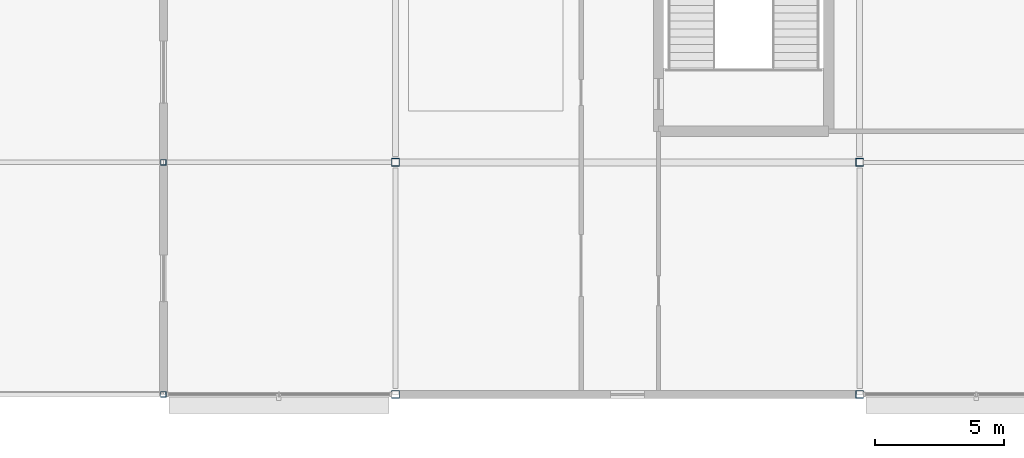
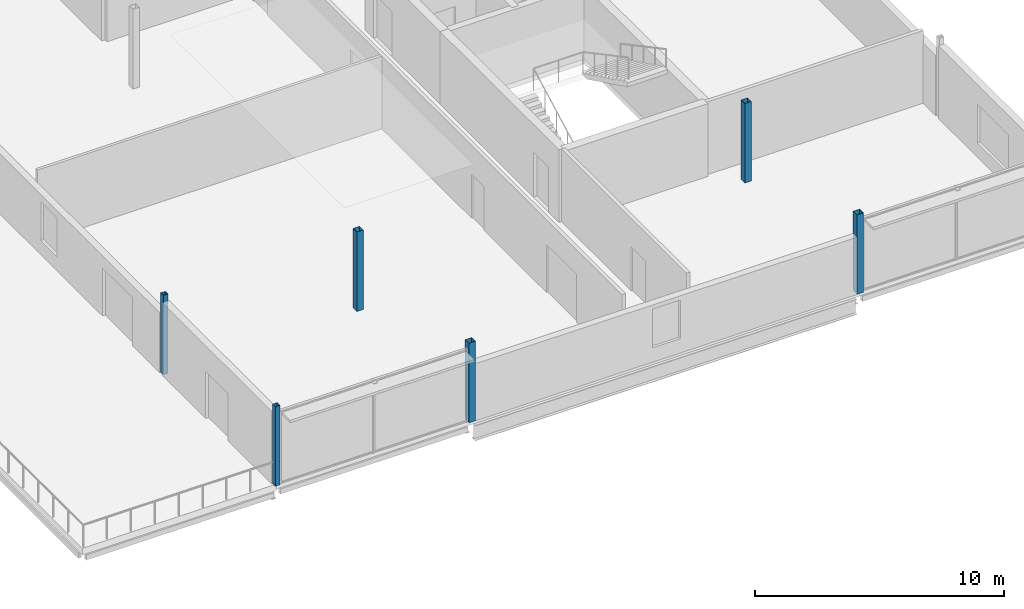
# One storey, part 11 of 55: 6 columns.
"""IFC4 building model written with IfcOpenShell, lengths in metres."""

from ifc_helpers import new_model, si_unit, direction, frame, origin, origin_2d, place, context, subcontext, project, spatial, hollow_rectangle, extrude, material, material_profile, profile_set, type_object, element, save


model = new_model("IFC4")

# Units and contexts
model_context = context("Model", 3, precision=1e-05, world=origin(), true_north=direction((0.0, 1.0)))
body_context = subcontext(model_context, "Body", "Model", "MODEL_VIEW")
ifc_project = project(units=[si_unit("LENGTHUNIT", "METRE"), si_unit("AREAUNIT", "SQUARE_METRE"), si_unit("VOLUMEUNIT", "CUBIC_METRE"), si_unit("PLANEANGLEUNIT", "RADIAN"), si_unit("MASSUNIT", "GRAM", prefix="KILO")], contexts=[model_context])

# Site, building, storey
site_placement = place(None, origin())
site = spatial("IfcSite", under=ifc_project, at=site_placement, CompositionType="ELEMENT")
building_placement = place(site_placement, origin())
building = spatial("IfcBuilding", under=site, at=building_placement, Name="Kisiwana Market Hall", CompositionType="ELEMENT")
storey_placement = place(building_placement, frame((0.0, 0.0, 37.800048828125)))
storey = spatial("IfcBuildingStorey", under=building, at=storey_placement, Name="L08", CompositionType="ELEMENT", Elevation=37.800048828125)

# Columns
ifc_material_1 = material(Name="Steel S355", Category="steel")
ifc_material_profile_1 = material_profile(ifc_material_1, hollow_rectangle(XDim=0.219970703125, YDim=0.219970703125, WallThickness=0.010009765625, at=origin_2d()), Name="SHS 220x220x10")
ifc_profile_set_1 = profile_set([ifc_material_profile_1], Name="Steel S355")
column_type_1 = type_object("IfcColumnType", Name="COL-STL-SHS220", PredefinedType="COLUMN", material=ifc_profile_set_1)
for number, where, z_axis, x_axis, name in (
    (1, (162.0, 9.0, 0.0), (0.0, 0.0, 1.0), (1.0, 0.0, 0.0), "Column B/19 (L08) C-1180"),
    (2, (162.0, 18.0, 0.0), (0.0, 0.0, 1.0), (1.0, 0.0, 0.0), "Column C/19 (L08) C-1181"),
):
    element("IfcColumn", number, at=place(storey_placement, frame(where, z_axis=z_axis, x_axis=x_axis)), inside=storey, type_object=column_type_1, Name=name, PredefinedType="COLUMN", context=body_context, shape_type="SweptSolid", body=[
        extrude(hollow_rectangle(XDim=0.219970703125, YDim=0.219970703125, WallThickness=0.010009765625, at=origin_2d()), origin(), (0.0, 0.0, 1.0), 3.89990234375),
    ])
ifc_material_2 = material(Name="Steel S355", Category="steel")
ifc_material_profile_2 = material_profile(ifc_material_2, hollow_rectangle(XDim=0.300048828125, YDim=0.300048828125, WallThickness=0.012451171875, at=origin_2d()), Name="SHS 300x300x12.5")
ifc_profile_set_2 = profile_set([ifc_material_profile_2], Name="Steel S355")
column_type_2 = type_object("IfcColumnType", Name="COL-STL-SHS300", PredefinedType="COLUMN", material=ifc_profile_set_2)
for number, where, z_axis, x_axis, name in (
    (3, (171.0, 9.0, 0.0), (0.0, 0.0, 1.0), (1.0, 0.0, 0.0), "Column B/20 (L08) C-1186"),
    (4, (171.0, 18.0, 0.0), (0.0, 0.0, 1.0), (1.0, 0.0, 0.0), "Column C/20 (L08) C-1187"),
    (5, (189.0, 9.0, 0.0), (0.0, 0.0, 1.0), (1.0, 0.0, 0.0), "Column B/22 (L08) C-1193"),
    (6, (189.0, 18.0, 0.0), (0.0, 0.0, 1.0), (1.0, 0.0, 0.0), "Column C/22 (L08) C-1194"),
):
    element("IfcColumn", number, at=place(storey_placement, frame(where, z_axis=z_axis, x_axis=x_axis)), inside=storey, type_object=column_type_2, Name=name, PredefinedType="COLUMN", context=body_context, shape_type="SweptSolid", body=[
        extrude(hollow_rectangle(XDim=0.300048828125, YDim=0.300048828125, WallThickness=0.012451171875, at=origin_2d()), origin(), (0.0, 0.0, 1.0), 3.89990234375),
    ])

save(model, "model.ifc")
